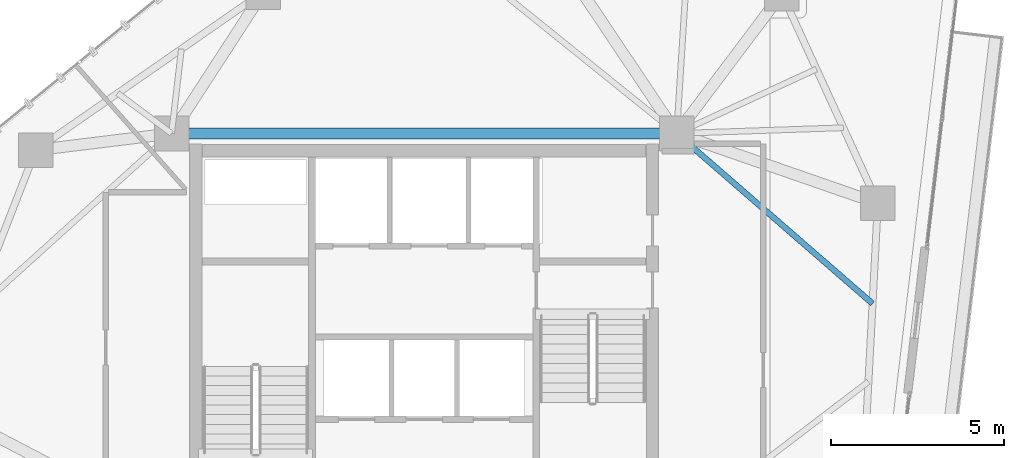
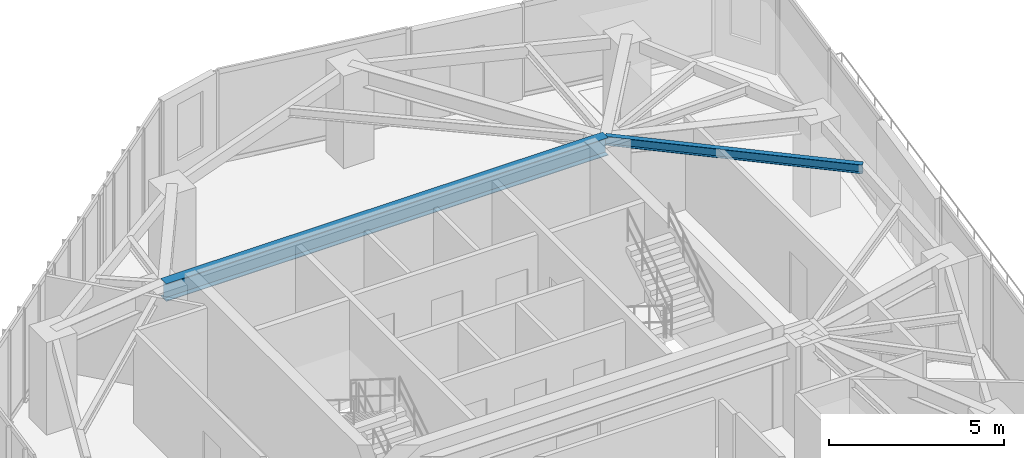
# One storey, part 12 of 22: 2 beams.
"""IFC4 building model written with IfcOpenShell, lengths in metres."""

from ifc_helpers import new_model, si_unit, direction, frame, origin, origin_2d, place, context, subcontext, project, spatial, i_section, extrude, material, material_profile, profile_set, type_object, element, save


model = new_model("IFC4")

# Units and contexts
model_context = context("Model", 3, precision=1e-05, world=origin(), true_north=direction((0.0, 1.0)))
body_context = subcontext(model_context, "Body", "Model", "MODEL_VIEW")
ifc_project = project(units=[si_unit("LENGTHUNIT", "METRE"), si_unit("AREAUNIT", "SQUARE_METRE"), si_unit("VOLUMEUNIT", "CUBIC_METRE"), si_unit("PLANEANGLEUNIT", "RADIAN"), si_unit("MASSUNIT", "GRAM", prefix="KILO")], contexts=[model_context])

# Site, building, storey
site_placement = place(None, origin())
site = spatial("IfcSite", under=ifc_project, at=site_placement, CompositionType="ELEMENT")
building_placement = place(site_placement, origin())
building = spatial("IfcBuilding", under=site, at=building_placement, Name="Talar Marvaseh", CompositionType="ELEMENT")
storey_placement = place(building_placement, frame((0.0, 0.0, 208.199951171875)))
storey = spatial("IfcBuildingStorey", under=building, at=storey_placement, Name="L54", CompositionType="ELEMENT", Elevation=208.199951171875)

# Beams
ifc_material = material(Name="Steel S355", Category="steel")
ifc_material_profile_1 = material_profile(ifc_material, i_section(OverallWidth=0.324951171875, OverallDepth=0.615966796875, WebThickness=0.013916015625, FlangeThickness=0.021484375, at=origin_2d()), Name="W610x174")
ifc_profile_set_1 = profile_set([ifc_material_profile_1], Name="Steel S355")
beam_type_1 = type_object("IfcBeamType", Name="Zone 3 Radial Floor Girder W610x174", PredefinedType="BEAM", material=ifc_profile_set_1)
beam_1_placement = place(storey_placement, frame((18.699951171875, 36.89990234375, 2.922119140625), z_axis=(1.0, 0.0, 0.0), x_axis=(0.0, 1.0, 0.0)))
element("IfcBeam", 1, at=beam_1_placement, inside=storey, type_object=beam_type_1, Name="L54 Zone 3 Radial Floor Girder W610x174", PredefinedType="BEAM", context=body_context, shape_type="SweptSolid", body=[
    extrude(i_section(OverallWidth=0.324951171875, OverallDepth=0.615966796875, WebThickness=0.013916015625, FlangeThickness=0.021484375, at=origin_2d()), origin(), (0.0, 0.0, 1.0), 14.60009765625),
])
ifc_material_profile_2 = material_profile(ifc_material, i_section(OverallWidth=0.166015625, OverallDepth=0.31298828125, WebThickness=0.006591796875, FlangeThickness=0.01123046875, at=origin_2d()), Name="W310x45")
ifc_profile_set_2 = profile_set([ifc_material_profile_2], Name="Steel S355")
beam_type_2 = type_object("IfcBeamType", Name="Zone 3 Secondary Floor Joist W310x45", PredefinedType="JOIST", material=ifc_profile_set_2)
beam_2_placement = place(storey_placement, frame((38.96044921875, 31.982421875, 3.073486328125), z_axis=(-0.754909663958, 0.655828788071, 0.0), x_axis=(-0.655828788071, -0.754909663958, 0.0)))
element("IfcBeam", 2, at=beam_2_placement, inside=storey, type_object=beam_type_2, Name="L54 Zone 3 Secondary Floor Joist W310x45", PredefinedType="JOIST", context=body_context, shape_type="SweptSolid", body=[
    extrude(i_section(OverallWidth=0.166015625, OverallDepth=0.31298828125, WebThickness=0.006591796875, FlangeThickness=0.01123046875, at=origin_2d()), origin(), (0.0, 0.0, 1.0), 7.498046875),
])

save(model, "model.ifc")
